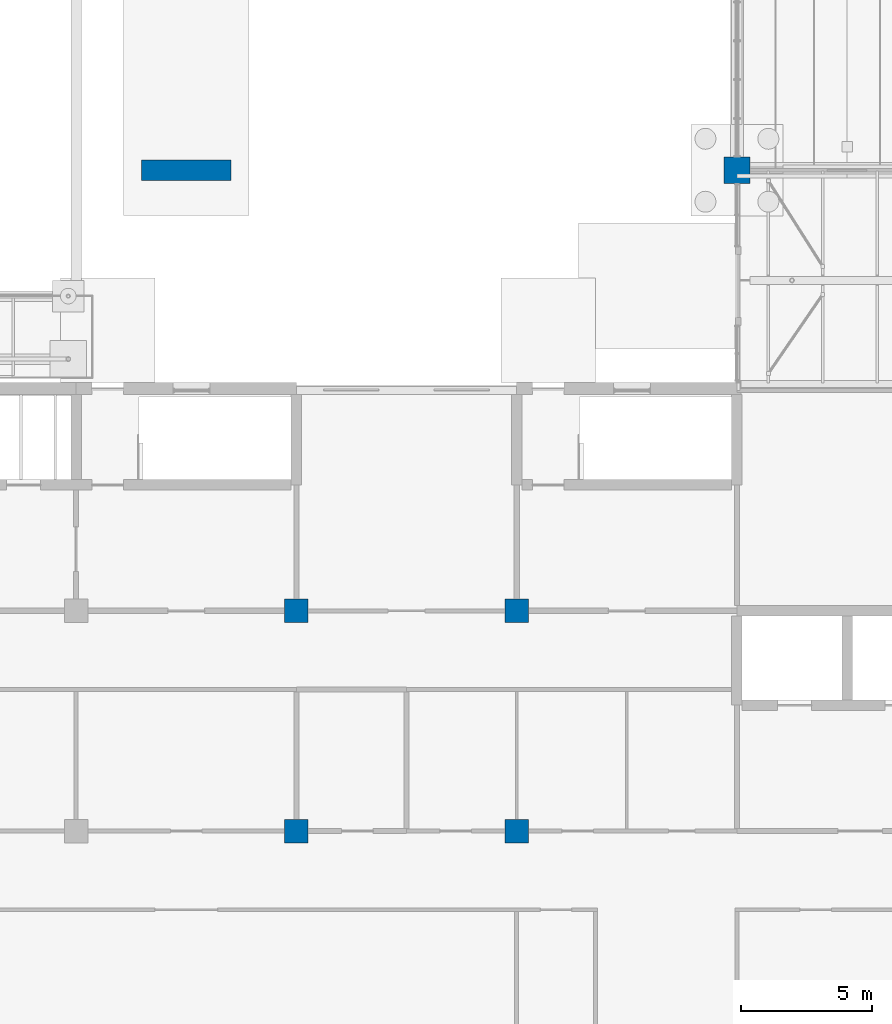
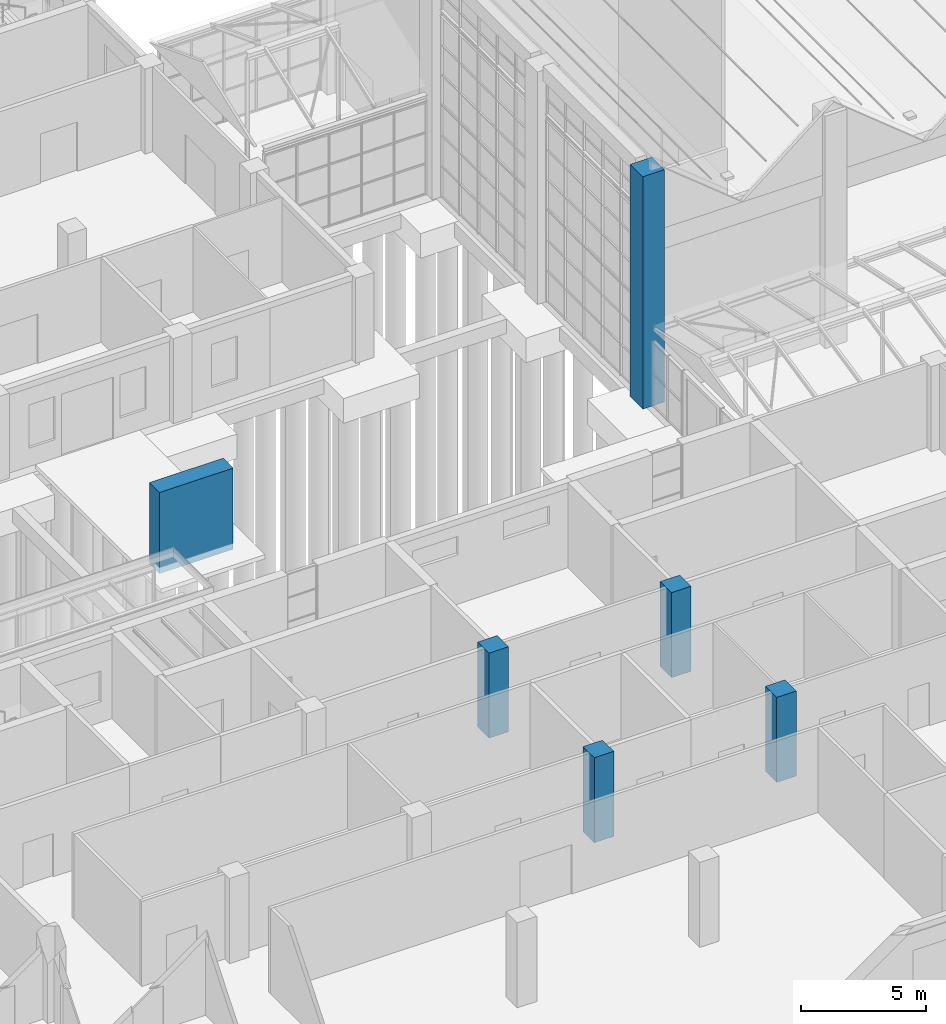
# One storey, part 10 of 138: 6 columns.
"""IFC4 building model written with IfcOpenShell, lengths in metres."""

from ifc_helpers import new_model, si_unit, direction, frame, origin, origin_2d, place, context, subcontext, project, spatial, rectangle, extrude, material, material_profile, profile_set, type_object, element, save


model = new_model("IFC4")

# Units and contexts
model_context = context("Model", 3, precision=1e-05, world=origin(), true_north=direction((0.0, 1.0)))
body_context = subcontext(model_context, "Body", "Model", "MODEL_VIEW")
ifc_project = project(units=[si_unit("LENGTHUNIT", "METRE"), si_unit("AREAUNIT", "SQUARE_METRE"), si_unit("VOLUMEUNIT", "CUBIC_METRE"), si_unit("PLANEANGLEUNIT", "RADIAN"), si_unit("MASSUNIT", "GRAM", prefix="KILO")], contexts=[model_context])

# Site, building, storey
site_placement = place(None, origin())
site = spatial("IfcSite", under=ifc_project, at=site_placement, CompositionType="ELEMENT")
building_placement = place(site_placement, origin())
building = spatial("IfcBuilding", under=site, at=building_placement, Name="Yavir Park General Hospital", CompositionType="ELEMENT")
storey_placement = place(building_placement, origin())
storey = spatial("IfcBuildingStorey", under=building, at=storey_placement, Name="L00", CompositionType="ELEMENT", Elevation=0.0)

# Columns
ifc_material_1 = material(Name="Concrete C40/50", Category="concrete")
ifc_material_profile_1 = material_profile(ifc_material_1, rectangle(XDim=1.0, YDim=1.0, at=origin_2d()), Name="RC1000x1000")
ifc_profile_set_1 = profile_set([ifc_material_profile_1], Name="Concrete C40/50")
column_type_1 = type_object("IfcColumnType", Name="RC COLUMN 1000x1000", PredefinedType="COLUMN", material=ifc_profile_set_1)
column_1_placement = place(storey_placement, frame((75.60009765625, 42.0, 0.0), z_axis=(0.0, 0.0, 1.0), x_axis=(1.0, 0.0, 0.0)))
element("IfcColumn", 1, at=column_1_placement, inside=storey, type_object=column_type_1, Name="C:L00:10F", PredefinedType="COLUMN", context=body_context, shape_type="SweptSolid", body=[
    extrude(rectangle(XDim=1.0, YDim=1.0, at=origin_2d()), origin(), (0.0, 0.0, 1.0), 11.31201171875),
])
ifc_material_2 = material(Name="Concrete C40/50", Category="concrete")
ifc_material_profile_2 = material_profile(ifc_material_2, rectangle(XDim=3.39990234375, YDim=0.800048828125, at=origin_2d()), Name="RC3400x800")
ifc_profile_set_2 = profile_set([ifc_material_profile_2], Name="Concrete C40/50")
column_type_2 = type_object("IfcColumnType", Name="RC COLUMN 3400x800", PredefinedType="COLUMN", material=ifc_profile_set_2)
column_2_placement = place(storey_placement, frame((54.60009765625, 42.0, -0.300048828125), z_axis=(0.0, 0.0, 1.0), x_axis=(1.0, 0.0, 0.0)))
element("IfcColumn", 2, at=column_2_placement, inside=storey, type_object=column_type_2, Name="C:BR_S:P0", PredefinedType="COLUMN", context=body_context, shape_type="SweptSolid", body=[
    extrude(rectangle(XDim=3.39990234375, YDim=0.800048828125, at=origin_2d()), origin(), (0.0, 0.0, 1.0), 3.949951171875),
])
ifc_material_3 = material(Name="Concrete C40/50", Category="concrete")
ifc_material_profile_3 = material_profile(ifc_material_3, rectangle(XDim=0.89990234375, YDim=0.89990234375, at=origin_2d()), Name="RC900x900")
ifc_profile_set_3 = profile_set([ifc_material_profile_3], Name="Concrete C40/50")
column_type_3 = type_object("IfcColumnType", Name="RC COLUMN 900x900", PredefinedType="COLUMN", material=ifc_profile_set_3)
for number, where, z_axis, x_axis, name in (
    (3, (58.800048828125, 16.800048828125, 0.0), (0.0, 0.0, 1.0), (1.0, 0.0, 0.0), "C:L00:8C"),
    (4, (67.199951171875, 16.800048828125, 0.0), (0.0, 0.0, 1.0), (1.0, 0.0, 0.0), "C:L00:9C"),
    (5, (58.800048828125, 25.199951171875, 0.0), (0.0, 0.0, 1.0), (1.0, 0.0, 0.0), "C:L00:8D"),
    (6, (67.199951171875, 25.199951171875, 0.0), (0.0, 0.0, 1.0), (1.0, 0.0, 0.0), "C:L00:9D"),
):
    element("IfcColumn", number, at=place(storey_placement, frame(where, z_axis=z_axis, x_axis=x_axis)), inside=storey, type_object=column_type_3, Name=name, PredefinedType="COLUMN", context=body_context, shape_type="SweptSolid", body=[
        extrude(rectangle(XDim=0.89990234375, YDim=0.89990234375, at=origin_2d()), origin(), (0.0, 0.0, 1.0), 4.139892578125),
    ])

save(model, "model.ifc")
